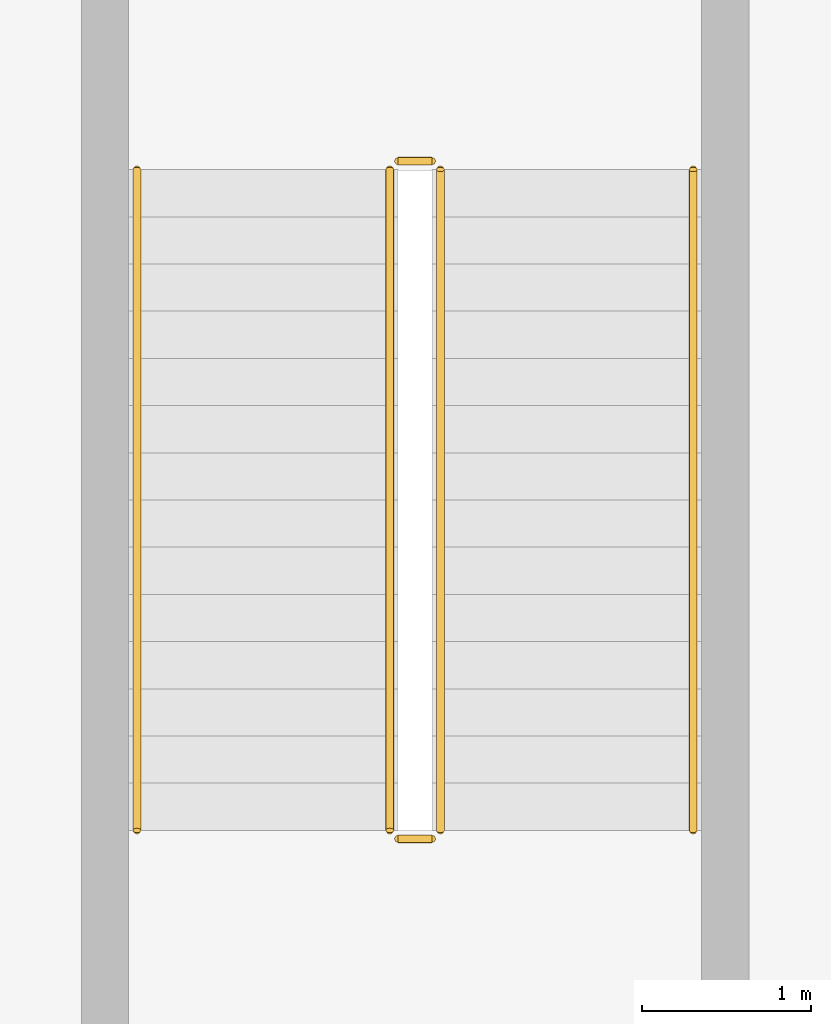
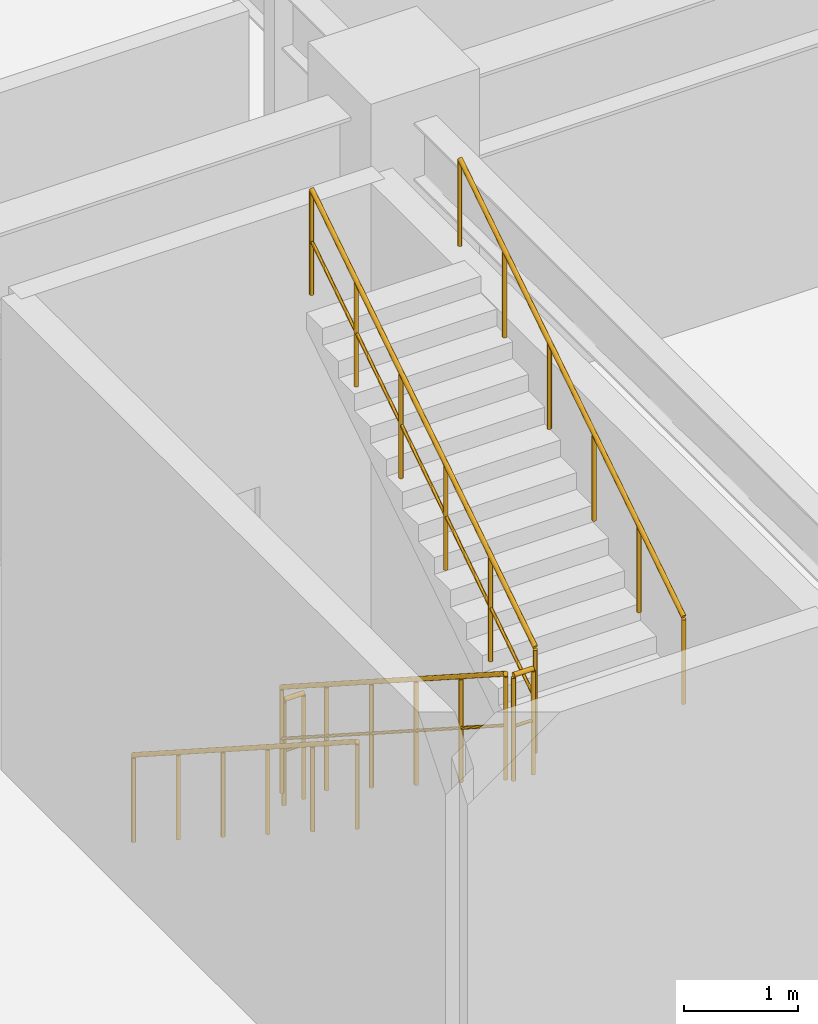
# One storey, part 9 of 9: 6 railings.
"""IFC4 building model written with IfcOpenShell, lengths in metres."""

from ifc_helpers import new_model, si_unit, direction, frame, origin, origin_2d, place, context, subcontext, project, spatial, circle, extrude, material, type_object, element, save


model = new_model("IFC4")

# Units and contexts
model_context = context("Model", 3, precision=1e-05, world=origin(), true_north=direction((0.0, 1.0)))
body_context = subcontext(model_context, "Body", "Model", "MODEL_VIEW")
ifc_project = project(units=[si_unit("LENGTHUNIT", "METRE"), si_unit("AREAUNIT", "SQUARE_METRE"), si_unit("VOLUMEUNIT", "CUBIC_METRE"), si_unit("PLANEANGLEUNIT", "RADIAN"), si_unit("MASSUNIT", "GRAM", prefix="KILO")], contexts=[model_context])

# Site, building, storey
site_placement = place(None, origin())
site = spatial("IfcSite", under=ifc_project, at=site_placement, CompositionType="ELEMENT")
building_placement = place(site_placement, origin())
building = spatial("IfcBuilding", under=site, at=building_placement, Name="Ventersveld Concourse Tower", CompositionType="ELEMENT")
storey_placement = place(building_placement, frame((0.0, 0.0, -5.39990234375)))
storey = spatial("IfcBuildingStorey", under=building, at=storey_placement, Name="B01", CompositionType="ELEMENT", Elevation=-5.39990234375)

# Railings
ifc_material = material(Name="Brushed stainless steel 316", Category="steel")
railing_type_1 = type_object("IfcRailingType", Name="GD-BAL-115", PredefinedType="GUARDRAIL", material=ifc_material)
railing_1_placement = place(storey_placement, frame((51.14990234375, 9.60009765625, 0.179931640625)))
element("IfcRailing", 1, at=railing_1_placement, inside=storey, type_object=railing_type_1, Name="B01 ST-05 stair guard 1", PredefinedType="GUARDRAIL", context=body_context, shape_type="SweptSolid", body=[
    extrude(circle(Radius=0.02392578125, at=origin_2d()), frame((0.0, 0.0, 1.1259765625), z_axis=(0.0, -0.841186985886, 0.540744352514), x_axis=(1.0, 0.0, 0.0)), (0.0, 0.0, 1.0), 4.660400390625),
    extrude(circle(Radius=0.01611328125, at=origin_2d()), frame((0.0, 0.0, 0.574951171875), z_axis=(0.0, -0.841186985886, 0.540744352514), x_axis=(1.0, 0.0, 0.0)), (0.0, 0.0, 1.0), 4.660400390625),
    extrude(circle(Radius=0.02099609375, at=origin_2d()), origin(), (0.0, 0.0, 1.0), 1.101806640625),
    extrude(circle(Radius=0.02099609375, at=origin_2d()), frame((0.0, -0.783935546875, 0.50390625)), (0.0, 0.0, 1.0), 1.101806640625),
    extrude(circle(Radius=0.02099609375, at=origin_2d()), frame((0.0, -1.568115234375, 1.008056640625)), (0.0, 0.0, 1.0), 1.101806640625),
    extrude(circle(Radius=0.02099609375, at=origin_2d()), frame((0.0, -2.35205078125, 1.511962890625)), (0.0, 0.0, 1.0), 1.101806640625),
    extrude(circle(Radius=0.02099609375, at=origin_2d()), frame((0.0, -3.13623046875, 2.01611328125)), (0.0, 0.0, 1.0), 1.101806640625),
    extrude(circle(Radius=0.02099609375, at=origin_2d()), frame((0.0, -3.920166015625, 2.52001953125)), (0.0, 0.0, 1.0), 1.101806640625),
])
railing_2_placement = place(storey_placement, frame((51.199951171875, 5.6298828125, 2.699951171875)))
element("IfcRailing", 2, at=railing_2_placement, inside=storey, type_object=railing_type_1, Name="B01 ST-05 stair guard 2", PredefinedType="GUARDRAIL", context=body_context, shape_type="SweptSolid", body=[
    extrude(circle(Radius=0.02392578125, at=origin_2d()), frame((0.0, 0.0, 1.1259765625), z_axis=(1.0, 0.0, 0.0), x_axis=(0.0, 1.0, 0.0)), (0.0, 0.0, 1.0), 0.199951171875),
    extrude(circle(Radius=0.01611328125, at=origin_2d()), frame((0.0, 0.0, 0.574951171875), z_axis=(1.0, 0.0, 0.0), x_axis=(0.0, 1.0, 0.0)), (0.0, 0.0, 1.0), 0.199951171875),
    extrude(circle(Radius=0.02099609375, at=origin_2d()), origin(), (0.0, 0.0, 1.0), 1.101806640625),
    extrude(circle(Radius=0.02099609375, at=origin_2d()), frame((0.199951171875, 0.0, 0.0)), (0.0, 0.0, 1.0), 1.101806640625),
])
railing_3_placement = place(storey_placement, frame((51.449951171875, 5.679931640625, 2.8798828125)))
element("IfcRailing", 3, at=railing_3_placement, inside=storey, type_object=railing_type_1, Name="B01 ST-05 stair guard 3", PredefinedType="GUARDRAIL", context=body_context, shape_type="SweptSolid", body=[
    extrude(circle(Radius=0.02392578125, at=origin_2d()), frame((0.0, 0.0, 1.1259765625), z_axis=(0.0, 0.841186985886, 0.540744352514), x_axis=(-1.0, 0.0, 0.0)), (0.0, 0.0, 1.0), 4.660400390625),
    extrude(circle(Radius=0.01611328125, at=origin_2d()), frame((0.0, 0.0, 0.574951171875), z_axis=(0.0, 0.841186985886, 0.540744352514), x_axis=(-1.0, 0.0, 0.0)), (0.0, 0.0, 1.0), 4.660400390625),
    extrude(circle(Radius=0.02099609375, at=origin_2d()), origin(), (0.0, 0.0, 1.0), 1.101806640625),
    extrude(circle(Radius=0.02099609375, at=origin_2d()), frame((0.0, 0.783935546875, 0.50390625)), (0.0, 0.0, 1.0), 1.101806640625),
    extrude(circle(Radius=0.02099609375, at=origin_2d()), frame((0.0, 1.568115234375, 1.008056640625)), (0.0, 0.0, 1.0), 1.101806640625),
    extrude(circle(Radius=0.02099609375, at=origin_2d()), frame((0.0, 2.35205078125, 1.511962890625)), (0.0, 0.0, 1.0), 1.101806640625),
    extrude(circle(Radius=0.02099609375, at=origin_2d()), frame((0.0, 3.13623046875, 2.01611328125)), (0.0, 0.0, 1.0), 1.101806640625),
    extrude(circle(Radius=0.02099609375, at=origin_2d()), frame((0.0, 3.920166015625, 2.52001953125)), (0.0, 0.0, 1.0), 1.101806640625),
])
railing_4_placement = place(storey_placement, frame((51.199951171875, 9.64990234375, 0.0)))
element("IfcRailing", 4, at=railing_4_placement, inside=storey, type_object=railing_type_1, Name="B01 ST-05 stair guard 4", PredefinedType="GUARDRAIL", context=body_context, shape_type="SweptSolid", body=[
    extrude(circle(Radius=0.02392578125, at=origin_2d()), frame((0.0, 0.0, 1.1259765625), z_axis=(1.0, 0.0, 0.0), x_axis=(0.0, 1.0, 0.0)), (0.0, 0.0, 1.0), 0.199951171875),
    extrude(circle(Radius=0.01611328125, at=origin_2d()), frame((0.0, 0.0, 0.574951171875), z_axis=(1.0, 0.0, 0.0), x_axis=(0.0, 1.0, 0.0)), (0.0, 0.0, 1.0), 0.199951171875),
    extrude(circle(Radius=0.02099609375, at=origin_2d()), origin(), (0.0, 0.0, 1.0), 1.101806640625),
    extrude(circle(Radius=0.02099609375, at=origin_2d()), frame((0.199951171875, 0.0, 0.0)), (0.0, 0.0, 1.0), 1.101806640625),
])
railing_type_2 = type_object("IfcRailingType", Name="HR-RMP-095", PredefinedType="HANDRAIL", material=ifc_material)
railing_5_placement = place(storey_placement, frame((49.64990234375, 9.60009765625, 0.179931640625)))
element("IfcRailing", 5, at=railing_5_placement, inside=storey, type_object=railing_type_2, Name="B01 ST-05 stair handrail 1", PredefinedType="HANDRAIL", context=body_context, shape_type="SweptSolid", body=[
    extrude(circle(Radius=0.02392578125, at=origin_2d()), frame((0.0, 0.0, 0.92578125), z_axis=(0.0, -0.841186985886, 0.540744352514), x_axis=(1.0, 0.0, 0.0)), (0.0, 0.0, 1.0), 4.660400390625),
    extrude(circle(Radius=0.02099609375, at=origin_2d()), origin(), (0.0, 0.0, 1.0), 0.90185546875),
    extrude(circle(Radius=0.02099609375, at=origin_2d()), frame((0.0, -0.783935546875, 0.50390625)), (0.0, 0.0, 1.0), 0.90185546875),
    extrude(circle(Radius=0.02099609375, at=origin_2d()), frame((0.0, -1.568115234375, 1.008056640625)), (0.0, 0.0, 1.0), 0.90185546875),
    extrude(circle(Radius=0.02099609375, at=origin_2d()), frame((0.0, -2.35205078125, 1.511962890625)), (0.0, 0.0, 1.0), 0.90185546875),
    extrude(circle(Radius=0.02099609375, at=origin_2d()), frame((0.0, -3.13623046875, 2.01611328125)), (0.0, 0.0, 1.0), 0.90185546875),
    extrude(circle(Radius=0.02099609375, at=origin_2d()), frame((0.0, -3.920166015625, 2.52001953125)), (0.0, 0.0, 1.0), 0.90185546875),
])
railing_6_placement = place(storey_placement, frame((52.949951171875, 5.679931640625, 2.8798828125)))
element("IfcRailing", 6, at=railing_6_placement, inside=storey, type_object=railing_type_2, Name="B01 ST-05 stair handrail 2", PredefinedType="HANDRAIL", context=body_context, shape_type="SweptSolid", body=[
    extrude(circle(Radius=0.02392578125, at=origin_2d()), frame((0.0, 0.0, 0.92578125), z_axis=(0.0, 0.841186985886, 0.540744352514), x_axis=(-1.0, 0.0, 0.0)), (0.0, 0.0, 1.0), 4.660400390625),
    extrude(circle(Radius=0.02099609375, at=origin_2d()), origin(), (0.0, 0.0, 1.0), 0.90185546875),
    extrude(circle(Radius=0.02099609375, at=origin_2d()), frame((0.0, 0.783935546875, 0.50390625)), (0.0, 0.0, 1.0), 0.90185546875),
    extrude(circle(Radius=0.02099609375, at=origin_2d()), frame((0.0, 1.568115234375, 1.008056640625)), (0.0, 0.0, 1.0), 0.90185546875),
    extrude(circle(Radius=0.02099609375, at=origin_2d()), frame((0.0, 2.35205078125, 1.511962890625)), (0.0, 0.0, 1.0), 0.90185546875),
    extrude(circle(Radius=0.02099609375, at=origin_2d()), frame((0.0, 3.13623046875, 2.01611328125)), (0.0, 0.0, 1.0), 0.90185546875),
    extrude(circle(Radius=0.02099609375, at=origin_2d()), frame((0.0, 3.920166015625, 2.52001953125)), (0.0, 0.0, 1.0), 0.90185546875),
])

save(model, "model.ifc")
